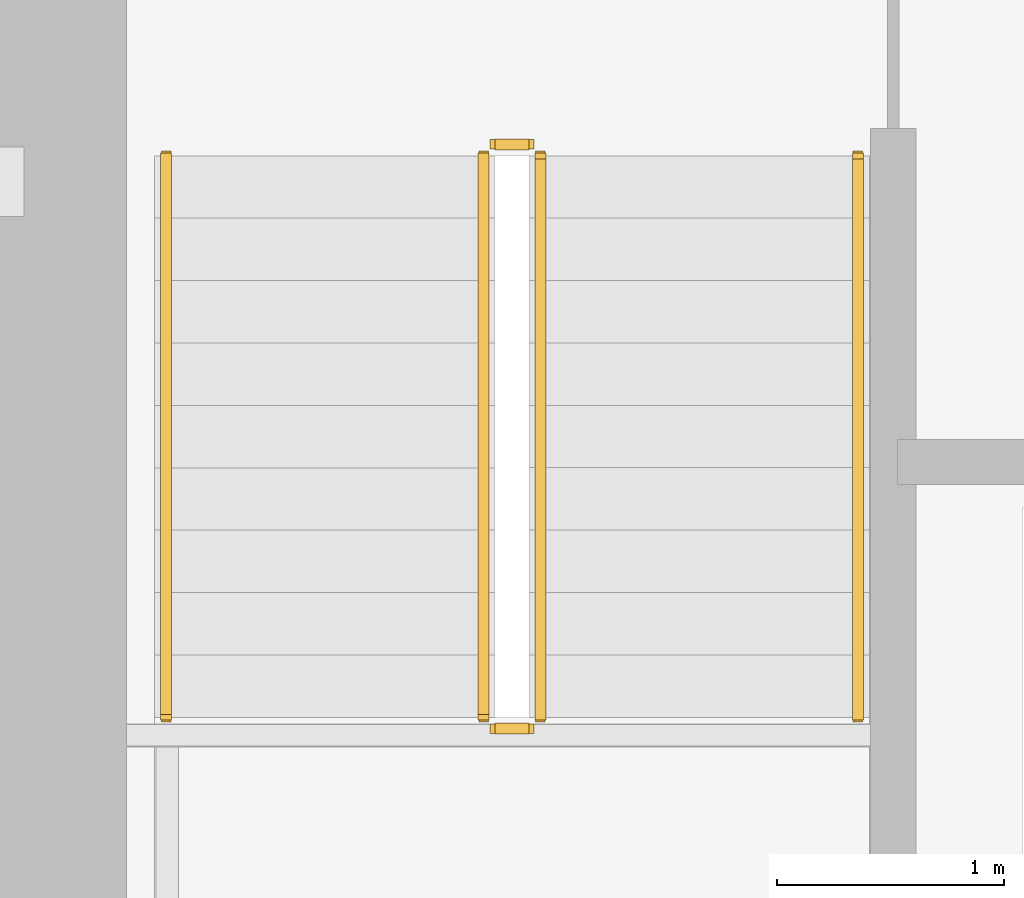
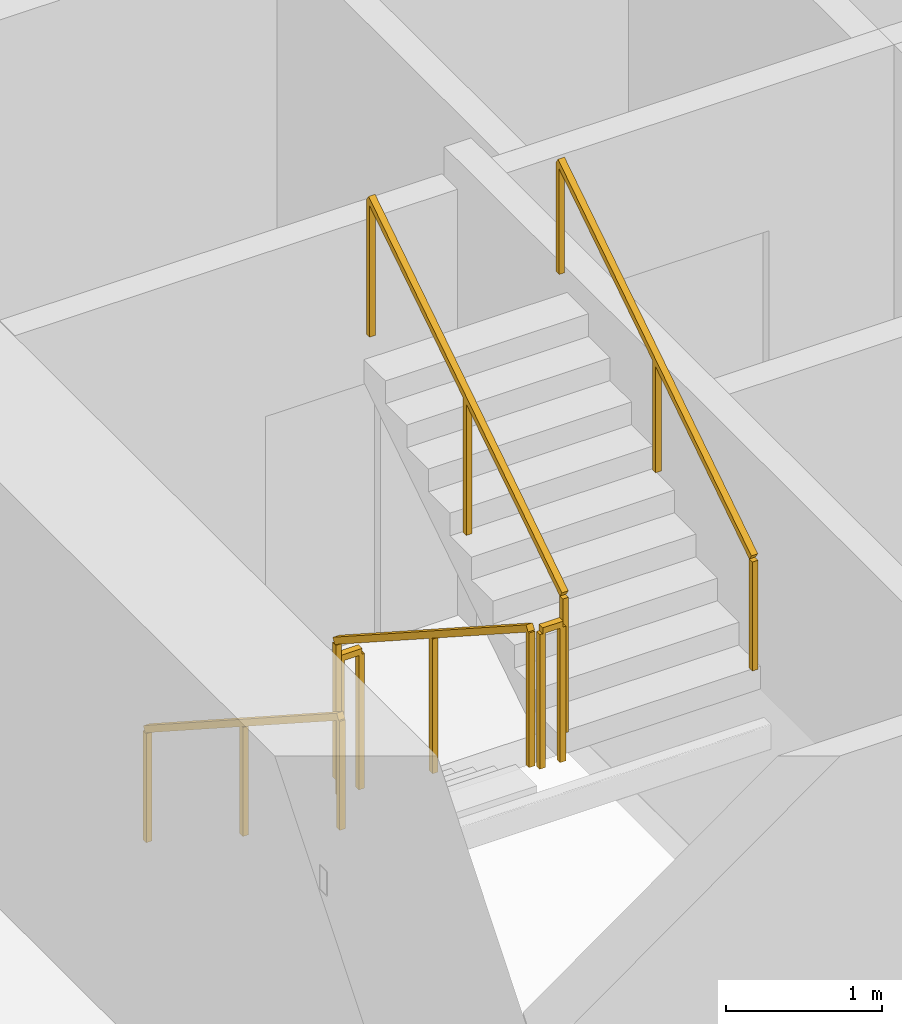
# One storey, part 12 of 14: 6 railings.
"""IFC4 building model written with IfcOpenShell, lengths in metres."""

from ifc_helpers import new_model, si_unit, direction, frame, origin, origin_2d, place, context, subcontext, project, spatial, rectangle, extrude, material, type_object, element, save


model = new_model("IFC4")

# Units and contexts
model_context = context("Model", 3, precision=1e-05, world=origin(), true_north=direction((0.0, 1.0)))
body_context = subcontext(model_context, "Body", "Model", "MODEL_VIEW")
ifc_project = project(units=[si_unit("LENGTHUNIT", "METRE"), si_unit("AREAUNIT", "SQUARE_METRE"), si_unit("VOLUMEUNIT", "CUBIC_METRE"), si_unit("PLANEANGLEUNIT", "RADIAN"), si_unit("MASSUNIT", "GRAM", prefix="KILO")], contexts=[model_context])

# Site, building, storey
site_placement = place(None, origin())
site = spatial("IfcSite", under=ifc_project, at=site_placement, CompositionType="ELEMENT")
building_placement = place(site_placement, origin())
building = spatial("IfcBuilding", under=site, at=building_placement, Name="Cinnabar Lancet Tower", CompositionType="ELEMENT")
storey_placement = place(building_placement, frame((0.0, 0.0, 53.300048828125)))
storey = spatial("IfcBuildingStorey", under=building, at=storey_placement, Name="L13", CompositionType="ELEMENT", Elevation=53.300048828125)

# Railings
ifc_material_1 = material(Name="Painted galvanized steel balustrade", Category="steel")
railing_type_1 = type_object("IfcRailingType", Name="GUARD-STAIR", PredefinedType="GUARDRAIL", material=ifc_material_1)
railing_1_placement = place(storey_placement, frame((24.97509765625, 28.39990234375, 0.177490234375)))
element("IfcRailing", 1, at=railing_1_placement, inside=storey, type_object=railing_type_1, Name="L13 ST-1 stair guard 1", PredefinedType="GUARDRAIL", context=body_context, shape_type="SweptSolid", body=[
    extrude(rectangle(XDim=0.048095703125, YDim=0.048095703125, at=origin_2d()), frame((0.0, 0.0, 1.076171875), z_axis=(0.0, -0.840183358697, 0.542302428327), x_axis=(1.0, 0.0, 0.0)), (0.0, 0.0, 1.0), 2.945556640625),
    extrude(rectangle(XDim=0.0419921875, YDim=0.0419921875, at=origin_2d()), origin(), (0.0, 0.0, 1.0), 1.052001953125),
    extrude(rectangle(XDim=0.0419921875, YDim=0.0419921875, at=origin_2d()), frame((0.0, -1.2373046875, 0.798828125)), (0.0, 0.0, 1.0), 1.052001953125),
    extrude(rectangle(XDim=0.0419921875, YDim=0.0419921875, at=origin_2d()), frame((0.0, -2.474853515625, 1.597412109375)), (0.0, 0.0, 1.0), 1.052001953125),
])
railing_2_placement = place(storey_placement, frame((25.02490234375, 25.875, 1.77490234375)))
element("IfcRailing", 2, at=railing_2_placement, inside=storey, type_object=railing_type_1, Name="L13 ST-1 stair guard 2", PredefinedType="GUARDRAIL", context=body_context, shape_type="SweptSolid", body=[
    extrude(rectangle(XDim=0.048095703125, YDim=0.048095703125, at=origin_2d()), frame((0.0, 0.0, 1.076171875), z_axis=(1.0, 0.0, 0.0), x_axis=(0.0, 1.0, 0.0)), (0.0, 0.0, 1.0), 0.150146484375),
    extrude(rectangle(XDim=0.0419921875, YDim=0.0419921875, at=origin_2d()), origin(), (0.0, 0.0, 1.0), 1.052001953125),
    extrude(rectangle(XDim=0.0419921875, YDim=0.0419921875, at=origin_2d()), frame((0.150146484375, 0.0, 0.0)), (0.0, 0.0, 1.0), 1.052001953125),
])
railing_3_placement = place(storey_placement, frame((25.22509765625, 25.925048828125, 1.952392578125)))
element("IfcRailing", 3, at=railing_3_placement, inside=storey, type_object=railing_type_1, Name="L13 ST-1 stair guard 3", PredefinedType="GUARDRAIL", context=body_context, shape_type="SweptSolid", body=[
    extrude(rectangle(XDim=0.048095703125, YDim=0.048095703125, at=origin_2d()), frame((0.0, 0.0, 1.076171875), z_axis=(0.0, 0.84014559416, 0.542360932049), x_axis=(-1.0, 0.0, 0.0)), (0.0, 0.0, 1.0), 2.94580078125),
    extrude(rectangle(XDim=0.0419921875, YDim=0.0419921875, at=origin_2d()), origin(), (0.0, 0.0, 1.0), 1.052001953125),
    extrude(rectangle(XDim=0.0419921875, YDim=0.0419921875, at=origin_2d()), frame((0.0, 1.2373046875, 0.798828125)), (0.0, 0.0, 1.0), 1.052001953125),
    extrude(rectangle(XDim=0.0419921875, YDim=0.0419921875, at=origin_2d()), frame((0.0, 2.474853515625, 1.59765625)), (0.0, 0.0, 1.0), 1.052001953125),
])
railing_4_placement = place(storey_placement, frame((25.02490234375, 28.449951171875, 0.0)))
element("IfcRailing", 4, at=railing_4_placement, inside=storey, type_object=railing_type_1, Name="L13 ST-1 stair guard 4", PredefinedType="GUARDRAIL", context=body_context, shape_type="SweptSolid", body=[
    extrude(rectangle(XDim=0.048095703125, YDim=0.048095703125, at=origin_2d()), frame((0.0, 0.0, 1.076171875), z_axis=(1.0, 0.0, 0.0), x_axis=(0.0, 1.0, 0.0)), (0.0, 0.0, 1.0), 0.150146484375),
    extrude(rectangle(XDim=0.0419921875, YDim=0.0419921875, at=origin_2d()), origin(), (0.0, 0.0, 1.0), 1.052001953125),
    extrude(rectangle(XDim=0.0419921875, YDim=0.0419921875, at=origin_2d()), frame((0.150146484375, 0.0, 0.0)), (0.0, 0.0, 1.0), 1.052001953125),
])
ifc_material_2 = material(Name="Brushed stainless steel handrail", Category="steel")
railing_type_2 = type_object("IfcRailingType", Name="HANDRAIL-STAIR", PredefinedType="HANDRAIL", material=ifc_material_2)
railing_5_placement = place(storey_placement, frame((23.574951171875, 28.39990234375, 0.177490234375)))
element("IfcRailing", 5, at=railing_5_placement, inside=storey, type_object=railing_type_2, Name="L13 ST-1 stair handrail 1", PredefinedType="HANDRAIL", context=body_context, shape_type="SweptSolid", body=[
    extrude(rectangle(XDim=0.048095703125, YDim=0.048095703125, at=origin_2d()), frame((0.0, 0.0, 0.8759765625), z_axis=(0.0, -0.840183358697, 0.542302428327), x_axis=(1.0, 0.0, 0.0)), (0.0, 0.0, 1.0), 2.945556640625),
    extrude(rectangle(XDim=0.0419921875, YDim=0.0419921875, at=origin_2d()), origin(), (0.0, 0.0, 1.0), 0.851806640625),
    extrude(rectangle(XDim=0.0419921875, YDim=0.0419921875, at=origin_2d()), frame((0.0, -1.2373046875, 0.798828125)), (0.0, 0.0, 1.0), 0.851806640625),
    extrude(rectangle(XDim=0.0419921875, YDim=0.0419921875, at=origin_2d()), frame((0.0, -2.474853515625, 1.597412109375)), (0.0, 0.0, 1.0), 0.851806640625),
])
railing_6_placement = place(storey_placement, frame((26.625, 25.925048828125, 1.952392578125)))
element("IfcRailing", 6, at=railing_6_placement, inside=storey, type_object=railing_type_2, Name="L13 ST-1 stair handrail 2", PredefinedType="HANDRAIL", context=body_context, shape_type="SweptSolid", body=[
    extrude(rectangle(XDim=0.048095703125, YDim=0.048095703125, at=origin_2d()), frame((0.0, 0.0, 0.8759765625), z_axis=(0.0, 0.84014559416, 0.542360932049), x_axis=(-1.0, 0.0, 0.0)), (0.0, 0.0, 1.0), 2.94580078125),
    extrude(rectangle(XDim=0.0419921875, YDim=0.0419921875, at=origin_2d()), origin(), (0.0, 0.0, 1.0), 0.851806640625),
    extrude(rectangle(XDim=0.0419921875, YDim=0.0419921875, at=origin_2d()), frame((0.0, 1.2373046875, 0.798828125)), (0.0, 0.0, 1.0), 0.851806640625),
    extrude(rectangle(XDim=0.0419921875, YDim=0.0419921875, at=origin_2d()), frame((0.0, 2.474853515625, 1.59765625)), (0.0, 0.0, 1.0), 0.851806640625),
])

save(model, "model.ifc")
